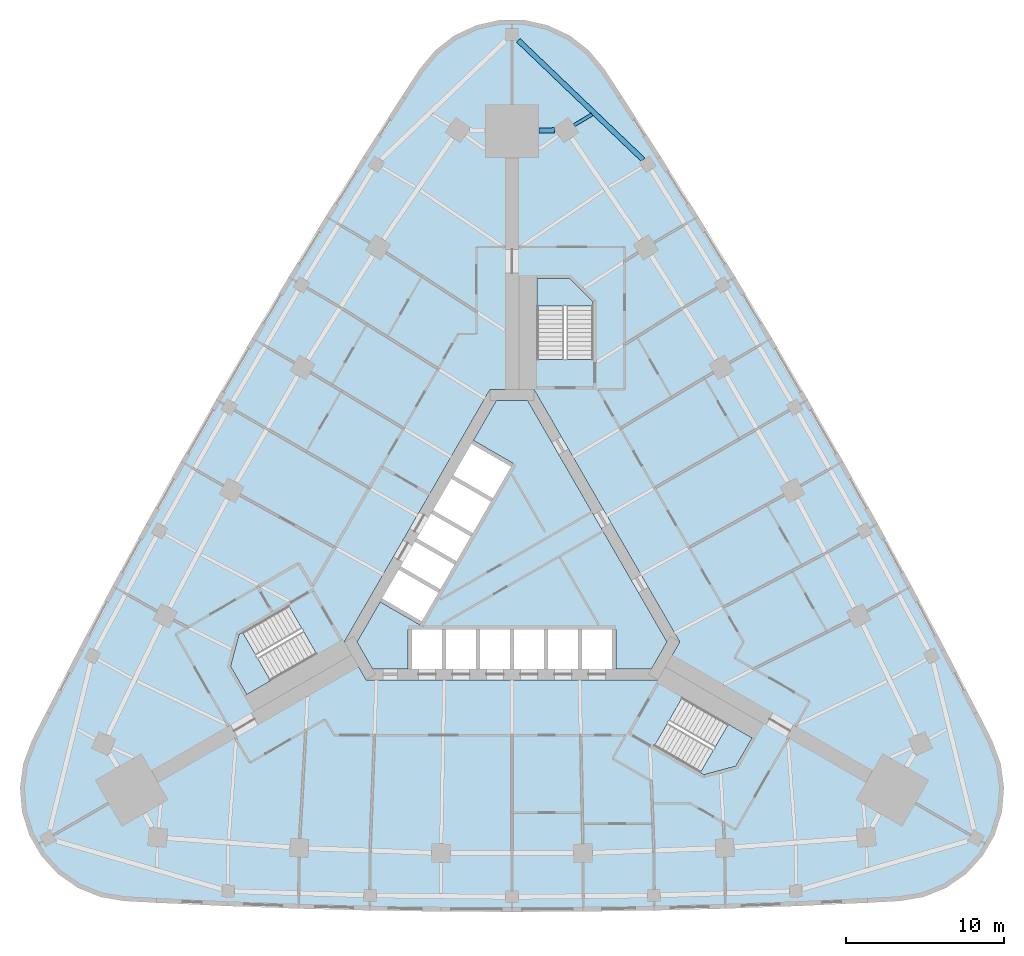
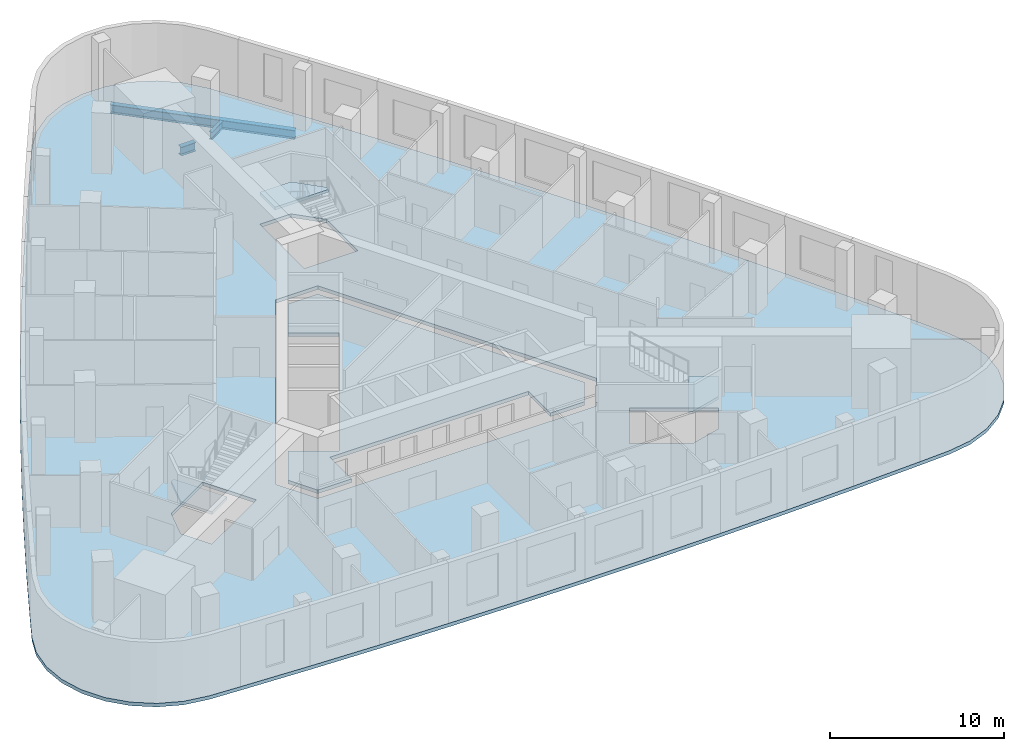
# One storey, part 3 of 11: 5 slabs, 3 beams, 3 elements without a shape of their own.
"""IFC4 building model written with IfcOpenShell, lengths in metres."""

from ifc_helpers import new_model, si_unit, direction, frame, origin, origin_2d, place, context, subcontext, project, spatial, polyline, i_section, outline, extrude, material, layer, layer_set, material_profile, profile_set, type_object, element, aggregate, save


model = new_model("IFC4")

# Units and contexts
model_context = context("Model", 3, precision=1e-05, world=origin(), true_north=direction((0.0, 1.0)))
body_context = subcontext(model_context, "Body", "Model", "MODEL_VIEW")
ifc_project = project(units=[si_unit("LENGTHUNIT", "METRE"), si_unit("AREAUNIT", "SQUARE_METRE"), si_unit("VOLUMEUNIT", "CUBIC_METRE"), si_unit("PLANEANGLEUNIT", "RADIAN"), si_unit("MASSUNIT", "GRAM", prefix="KILO")], contexts=[model_context])

# Site, building, storey
site_placement = place(None, origin())
site = spatial("IfcSite", under=ifc_project, at=site_placement, CompositionType="ELEMENT")
building_placement = place(site_placement, origin())
building = spatial("IfcBuilding", under=site, at=building_placement, Name="Noor Cloister Tower", CompositionType="ELEMENT")
storey_placement = place(building_placement, frame((0.0, 0.0, 6.0)))
storey = spatial("IfcBuildingStorey", under=building, at=storey_placement, Name="L01", CompositionType="ELEMENT", Elevation=6.0)

# Beams
ifc_material_1 = material(Name="Steel ASTM A992 Gr 50", Category="steel")
ifc_material_profile_1 = material_profile(ifc_material_1, i_section(OverallWidth=0.324951171875, OverallDepth=0.612060546875, WebThickness=0.0126953125, FlangeThickness=0.01904296875, FilletRadius=0.0126953125, at=origin_2d()), Name="W610x155")
ifc_profile_set_1 = profile_set([ifc_material_profile_1], Name="Steel ASTM A992 Gr 50")
beam_type_1 = type_object("IfcBeamType", Name="Podium column line beam W610x155", PredefinedType="BEAM", material=ifc_profile_set_1)
beam_1_placement = place(storey_placement, frame((2.6962890625, 27.8447265625, -0.555908203125), z_axis=(-0.999788233423, -0.020578831563, 0.0), x_axis=(0.020578831563, -0.999788233423, 0.0)))
element("IfcBeam", 1, at=beam_1_placement, inside=storey, type_object=beam_type_1, Name="Podium end beam NE 10 L01", PredefinedType="BEAM", context=body_context, shape_type="SweptSolid", body=[
    extrude(i_section(OverallWidth=0.324951171875, OverallDepth=0.612060546875, WebThickness=0.0126953125, FlangeThickness=0.01904296875, FilletRadius=0.0126953125, at=origin_2d()), origin(), (0.0, 0.0, 1.0), 0.99658203125),
])
ifc_material_2 = material(Name="Steel ASTM A992 Gr 50", Category="steel")
ifc_material_profile_2 = material_profile(ifc_material_2, i_section(OverallWidth=0.324951171875, OverallDepth=0.616943359375, WebThickness=0.013916015625, FlangeThickness=0.021484375, FilletRadius=0.0126953125, at=origin_2d()), Name="W610x174")
ifc_profile_set_2 = profile_set([ifc_material_profile_2], Name="Steel ASTM A992 Gr 50")
beam_type_2 = type_object("IfcBeamType", Name="Podium perimeter beam W610x174", PredefinedType="BEAM", material=ifc_profile_set_2)
beam_2_placement = place(storey_placement, frame((8.29443359375, 25.979248046875, -0.55859375), z_axis=(-0.722642827837, 0.691221631154, 0.0), x_axis=(-0.691221631154, -0.722642827837, 0.0)))
element("IfcBeam", 2, at=beam_2_placement, inside=storey, type_object=beam_type_2, Name="Podium perimeter beam 18 L01", PredefinedType="BEAM", context=body_context, shape_type="SweptSolid", body=[
    extrude(i_section(OverallWidth=0.324951171875, OverallDepth=0.616943359375, WebThickness=0.013916015625, FlangeThickness=0.021484375, FilletRadius=0.0126953125, at=origin_2d()), origin(), (0.0, 0.0, 1.0), 10.924560546875),
])
ifc_material_3 = material(Name="Steel ASTM A992 Gr 50", Category="steel")
ifc_material_profile_3 = material_profile(ifc_material_3, i_section(OverallWidth=0.208984375, OverallDepth=0.532958984375, WebThickness=0.01025390625, FlangeThickness=0.015625, FilletRadius=0.0126953125, at=origin_2d()), Name="W530x92")
ifc_profile_set_3 = profile_set([ifc_material_profile_3], Name="Steel ASTM A992 Gr 50")
beam_type_3 = type_object("IfcBeamType", Name="Podium stub beam W530x92", PredefinedType="BEAM", material=ifc_profile_set_3)
beam_3_placement = place(storey_placement, frame((3.936767578125, 28.169921875, -0.5166015625), z_axis=(0.85703318355, 0.515261217534, 0.0), x_axis=(-0.515261217534, 0.85703318355, 0.0)))
element("IfcBeam", 3, at=beam_3_placement, inside=storey, type_object=beam_type_3, Name="Podium stub beam NE 10 L01", PredefinedType="BEAM", context=body_context, shape_type="SweptSolid", body=[
    extrude(i_section(OverallWidth=0.208984375, OverallDepth=0.532958984375, WebThickness=0.01025390625, FlangeThickness=0.015625, FilletRadius=0.0126953125, at=origin_2d()), origin(), (0.0, 0.0, 1.0), 1.31298828125),
])

# Slabs
ifc_material_4 = material(Name="Concrete C40/50", Category="concrete")
ifc_layer_1 = layer(ifc_material_4, 0.25)
ifc_layer_set_1 = layer_set([ifc_layer_1], Name="Core floor slab 250 C40/50")
slab_type_1 = type_object("IfcSlabType", Name="Core floor slab 250 C40/50", PredefinedType="FLOOR", material=ifc_layer_set_1)
slab_1_placement = place(storey_placement, frame((0.0, 0.0, -0.25)))
element("IfcSlab", 4, at=slab_1_placement, inside=storey, type_object=slab_type_1, Name="Core floor L01", PredefinedType="FLOOR", context=body_context, shape_type="SweptSolid", body=[
    extrude(outline(polyline([(-6.574951171875, -6.228271484375), (-6.574951171875, -3.728271484375), (6.574951171875, -3.728271484375), (6.574951171875, -6.228271484375), (8.82470703125, -6.228271484375), (9.80615234375, -4.5283203125), (0.9814453125, 10.75634765625), (-0.9814453125, 10.75634765625), (-2.44384765625, 8.2236328125), (0.067626953125, 6.773681640625), (-5.832275390625, -3.4453125), (-8.34375, -1.995361328125), (-9.80615234375, -4.5283203125), (-8.82470703125, -6.228271484375), (-6.574951171875, -6.228271484375)])), origin(), (0.0, 0.0, 1.0), 0.25),
])
ifc_material_5 = material(Name="Concrete C40/50", Category="concrete")
ifc_layer_2 = layer(ifc_material_5, 0.25)
ifc_layer_set_2 = layer_set([ifc_layer_2], Name="Podium floor slab 250")
slab_type_2 = type_object("IfcSlabType", Name="Podium floor slab 250", PredefinedType="FLOOR", material=ifc_layer_set_2)
slab_2_placement = place(storey_placement, frame((0.0, 0.0, -0.25)))
element("IfcSlab", 5, at=slab_2_placement, inside=storey, type_object=slab_type_2, Name="Floor slab L01", PredefinedType="FLOOR", context=body_context, shape_type="SweptSolid", body=[
    extrude(outline(polyline([(5.85693359375, 31.69677734375), (4.877685546875, 32.884033203125), (3.662841796875, 33.828369140625), (2.27099609375, 34.484619140625), (0.769287109375, 34.82080078125), (-0.769287109375, 34.82080078125), (-2.27099609375, 34.484619140625), (-3.662841796875, 33.828369140625), (-4.877685546875, 32.884033203125), (-5.85693359375, 31.69677734375), (-6.96728515625, 29.991943359375), (-9.394775390625, 26.202880859375), (-11.783447265625, 22.38916015625), (-14.1328125, 18.551025390625), (-16.4423828125, 14.689208984375), (-18.71240234375, 10.8037109375), (-20.9423828125, 6.89501953125), (-23.132080078125, 2.963623046875), (-25.28125, -0.98974609375), (-27.389892578125, -4.96533203125), (-29.457275390625, -8.962158203125), (-30.378662109375, -10.7763671875), (-30.917236328125, -12.2177734375), (-31.127685546875, -13.7421875), (-31.0, -15.275634765625), (-30.540283203125, -16.744140625), (-29.77099609375, -18.07666015625), (-28.72900390625, -19.208984375), (-27.46484375, -20.086181640625), (-26.03955078125, -20.666259765625), (-24.52197265625, -20.920654296875), (-22.490234375, -21.02978515625), (-17.994873046875, -21.237548828125), (-13.497802734375, -21.3994140625), (-8.999267578125, -21.514892578125), (-4.5, -21.584228515625), (0.0, -21.607177734375), (4.5, -21.584228515625), (8.999267578125, -21.514892578125), (13.497802734375, -21.3994140625), (17.994873046875, -21.237548828125), (22.490234375, -21.02978515625), (24.52197265625, -20.920654296875), (26.03955078125, -20.666259765625), (27.46484375, -20.086181640625), (28.72900390625, -19.208984375), (29.77099609375, -18.07666015625), (30.540283203125, -16.744140625), (31.0, -15.275634765625), (31.127685546875, -13.7421875), (30.917236328125, -12.2177734375), (30.378662109375, -10.7763671875), (29.457275390625, -8.962158203125), (27.389892578125, -4.96533203125), (25.28125, -0.98974609375), (23.132080078125, 2.963623046875), (20.9423828125, 6.89501953125), (18.71240234375, 10.8037109375), (16.4423828125, 14.689208984375), (14.1328125, 18.551025390625), (11.783447265625, 22.38916015625), (9.394775390625, 26.202880859375), (6.96728515625, 29.991943359375), (5.85693359375, 31.69677734375)]), holes=[polyline([(-9.228759765625, -6.92822265625), (9.228759765625, -6.92822265625), (10.6142578125, -4.5283203125), (1.3857421875, 11.456298828125), (-1.3857421875, 11.456298828125), (-10.6142578125, -4.5283203125), (-9.228759765625, -6.92822265625)]), polyline([(1.585693359375, 18.456298828125), (1.585693359375, 13.35693359375), (5.135498046875, 13.35693359375), (5.135498046875, 16.9736328125), (3.65283203125, 18.456298828125), (1.585693359375, 18.456298828125)]), polyline([(-16.776611328125, -7.85498046875), (-12.3603515625, -5.305419921875), (-14.13525390625, -2.23095703125), (-16.662841796875, -3.690185546875), (-17.267333984375, -4.039306640625), (-17.81005859375, -6.064697265625), (-16.776611328125, -7.85498046875)]), polyline([(12.131591796875, -12.934326171875), (14.1572265625, -12.3916015625), (15.19091796875, -10.601318359375), (10.774658203125, -8.0517578125), (8.999755859375, -11.126220703125), (12.131591796875, -12.934326171875)])]), origin(), (0.0, 0.0, 1.0), 0.25),
])

# Stair, slab
ifc_material_6 = material(Name="Concrete C40/50", Category="concrete")
stair_type = type_object("IfcStairType", Name="Exit stair 26 risers", PredefinedType="HALF_TURN_STAIR", material=ifc_material_6)
stair_1_placement = place(storey_placement, origin())
stair_1 = element("IfcStair", 6, at=stair_1_placement, inside=storey, type_object=stair_type, Name="Exit stair ST1 L01", PredefinedType="HALF_TURN_STAIR")
ifc_material_7 = material(Name="Concrete C40/50", Category="concrete")
ifc_layer_3 = layer(ifc_material_7, 0.199951171875)
ifc_layer_set_3 = layer_set([ifc_layer_3], Name="Stair landing 200 C40/50")
slab_type_3 = type_object("IfcSlabType", Name="Stair landing 200 C40/50", PredefinedType="LANDING", material=ifc_layer_set_3)
slab_3_placement = place(storey_placement, frame((0.0, 0.0, 2.050048828125)))
slab_3 = element("IfcSlab", 7, at=slab_3_placement, type_object=slab_type_3, Name="ST1 landing 1", PredefinedType="LANDING", context=body_context, shape_type="SweptSolid", body=[
    extrude(outline(polyline([(5.135498046875, 16.7158203125), (5.135498046875, 16.9736328125), (3.65283203125, 18.456298828125), (1.585693359375, 18.456298828125), (1.585693359375, 16.7158203125), (5.135498046875, 16.7158203125)])), origin(), (0.0, 0.0, 1.0), 0.199951171875),
])
aggregate(stair_1, [slab_3])

stair_2_placement = place(storey_placement, origin())
stair_2 = element("IfcStair", 8, at=stair_2_placement, inside=storey, type_object=stair_type, Name="Exit stair ST2 L01", PredefinedType="HALF_TURN_STAIR")
slab_4_placement = place(storey_placement, frame((0.0, 0.0, 2.050048828125)))
slab_4 = element("IfcSlab", 9, at=slab_4_placement, type_object=slab_type_3, Name="ST2 landing 1", PredefinedType="LANDING", context=body_context, shape_type="SweptSolid", body=[
    extrude(outline(polyline([(-17.044189453125, -3.910400390625), (-17.267333984375, -4.039306640625), (-17.81005859375, -6.064697265625), (-16.776611328125, -7.85498046875), (-15.26904296875, -6.984619140625), (-17.044189453125, -3.910400390625)])), origin(), (0.0, 0.0, 1.0), 0.199951171875),
])
aggregate(stair_2, [slab_4])

stair_3_placement = place(storey_placement, origin())
stair_3 = element("IfcStair", 10, at=stair_3_placement, inside=storey, type_object=stair_type, Name="Exit stair ST3 L01", PredefinedType="HALF_TURN_STAIR")
slab_5_placement = place(storey_placement, frame((0.0, 0.0, 2.050048828125)))
slab_5 = element("IfcSlab", 11, at=slab_5_placement, type_object=slab_type_3, Name="ST3 landing 1", PredefinedType="LANDING", context=body_context, shape_type="SweptSolid", body=[
    extrude(outline(polyline([(11.908447265625, -12.805419921875), (12.131591796875, -12.934326171875), (14.1572265625, -12.3916015625), (15.19091796875, -10.601318359375), (13.68359375, -9.731201171875), (11.908447265625, -12.805419921875)])), origin(), (0.0, 0.0, 1.0), 0.199951171875),
])
aggregate(stair_3, [slab_5])

save(model, "model.ifc")
